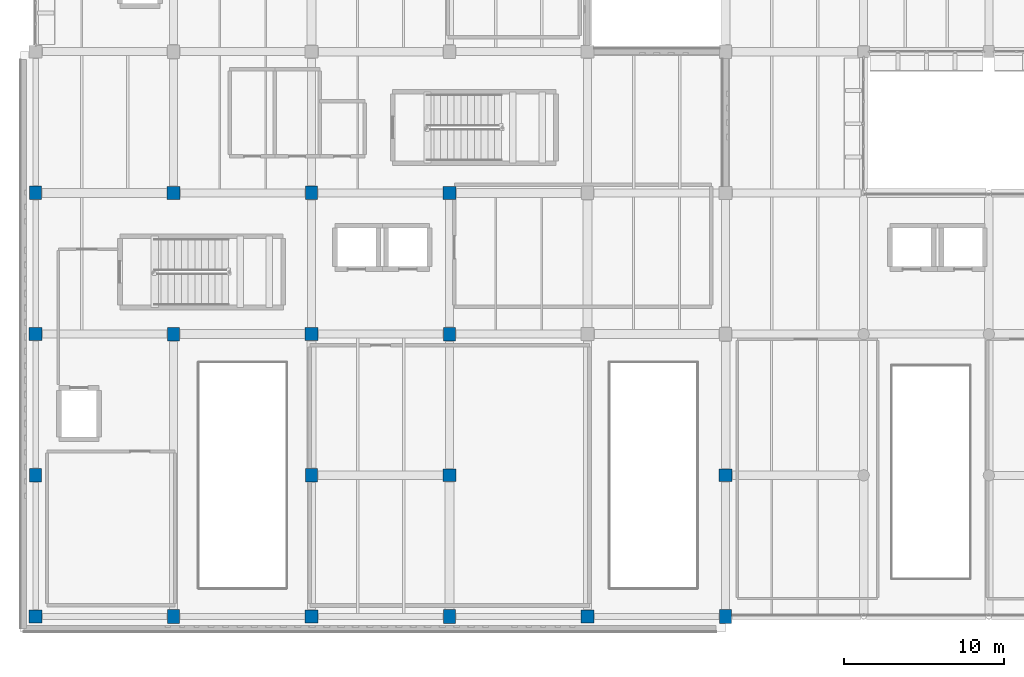
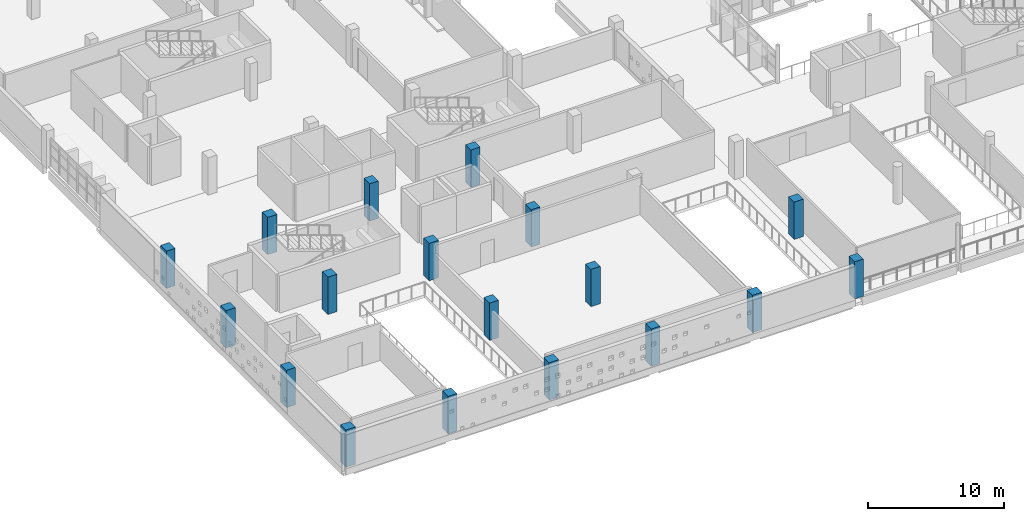
# One storey, part 1 of 75: 18 columns.
"""IFC4 building model written with IfcOpenShell, lengths in metres."""

import ifcopenshell
import ifcopenshell.guid

model = None  # the IFC model being written
_history = None  # IfcOwnerHistory: only IFC2X3 demands one
_inside = {}  # id of a spatial element -> (the spatial element, [elements in it])
_under = {}  # id of a project, library or spatial element -> (it, [spatial elements below it])
_declared = {}  # id of a project -> (the project, [libraries it declares])
_typed = {}  # id of a type object -> (the type object, [elements of that type])
_made_of = {}  # id of a material, layer set ... -> (it, [elements and type objects made of it])


def new_model(schema):
    """Start an empty IFC model of exactly this schema.

    Asked for "IFC4X3", IfcOpenShell would pick the latest addendum, in which some entities
    have other attributes; the version numbers below select the first issue.
    IFC2X3 requires an IfcOwnerHistory on every rooted entity: one is made here for all.
    """
    global model, _history
    if schema == "IFC4X3":
        model = ifcopenshell.file(schema_version=(4, 3, 0, 0))
    else:
        model = ifcopenshell.file(schema=schema)
    _inside.clear()
    _under.clear()
    _declared.clear()
    _typed.clear()
    _made_of.clear()
    _history = None
    if model.schema == "IFC2X3":
        org = make("IfcOrganization", Name="unknown")
        user = make(
            "IfcPersonAndOrganization",
            ThePerson=make("IfcPerson", FamilyName="unknown"),
            TheOrganization=org,
        )
        app = make(
            "IfcApplication",
            ApplicationDeveloper=org,
            Version="unknown",
            ApplicationFullName="unknown",
            ApplicationIdentifier="unknown",
        )
        _history = make(
            "IfcOwnerHistory",
            OwningUser=user,
            OwningApplication=app,
            ChangeAction="ADDED",
            CreationDate=0,
        )
    return model


def make(cls, **values):
    """One entity of the class cls with the attributes given. An attribute that is None is left unset."""
    return model.create_entity(
        cls, **{name: value for name, value in values.items() if value is not None}
    )


def rooted(cls, **values):
    """An entity with a GlobalId (a new one), such as an element, a storey or a relation."""
    return make(cls, GlobalId=ifcopenshell.guid.new(), OwnerHistory=_history, **values)


def si_unit(unit_type, name, prefix=None):
    """IfcSIUnit, for example si_unit("LENGTHUNIT", "METRE", prefix="MILLI")."""
    return make("IfcSIUnit", UnitType=unit_type, Prefix=prefix, Name=name)


def assignment(units):
    """IfcUnitAssignment: the units of a project."""
    return None if units is None else make("IfcUnitAssignment", Units=units)


def point(xyz):
    """IfcCartesianPoint."""
    return None if xyz is None else make("IfcCartesianPoint", Coordinates=xyz)


def direction(xyz):
    """IfcDirection."""
    return None if xyz is None else make("IfcDirection", DirectionRatios=xyz)


def frame(location, z_axis=None, x_axis=None):
    """IfcAxis2Placement3D, a coordinate frame: its origin and axes. An axis left out is left unset."""
    return make(
        "IfcAxis2Placement3D",
        Location=point(location),
        Axis=direction(z_axis),
        RefDirection=direction(x_axis),
    )


def frame_2d(location, x_axis=None):
    """IfcAxis2Placement2D, a coordinate frame in the plane: its origin and x axis."""
    return make(
        "IfcAxis2Placement2D", Location=point(location), RefDirection=direction(x_axis)
    )


def origin():
    """The frame at (0, 0, 0) with its axes left unset."""
    return frame((0.0, 0.0, 0.0))


def origin_2d():
    """The frame at (0, 0) in the plane with its x axis left unset."""
    return frame_2d((0.0, 0.0))


def place(relative_to, where):
    """IfcLocalPlacement: puts the frame where relative to a parent placement (None: the world)."""
    return make(
        "IfcLocalPlacement", PlacementRelTo=relative_to, RelativePlacement=where
    )


def context(
    kind, dimensions, precision=None, world=None, true_north=None, identifier=None
):
    """IfcGeometricRepresentationContext, for example the 3D "Model" context."""
    return make(
        "IfcGeometricRepresentationContext",
        ContextIdentifier=identifier,
        ContextType=kind,
        CoordinateSpaceDimension=dimensions,
        Precision=precision,
        WorldCoordinateSystem=world,
        TrueNorth=true_north,
    )


def subcontext(parent, identifier, kind, view, scale=None):
    """IfcGeometricRepresentationSubContext, for example "Body" below "Model"."""
    return make(
        "IfcGeometricRepresentationSubContext",
        ContextIdentifier=identifier,
        ContextType=kind,
        ParentContext=parent,
        TargetScale=scale,
        TargetView=view,
    )


def project(units=None, contexts=None):
    """IfcProject with its units and contexts."""
    return rooted(
        "IfcProject",
        Name="project",
        RepresentationContexts=contexts,
        UnitsInContext=assignment(units),
    )


def spatial(cls, under=None, at=None, **own):
    """A site, building, storey or space (cls), placed at a placement, below another one or the project."""
    s = rooted(cls, ObjectPlacement=at, **own)
    if under is not None:
        _under.setdefault(under.id(), (under, []))[1].append(s)
    return s


def profile(cls, at=None, kind="AREA", **sizes):
    """A parametric profile (cls). Its sizes go by their IFC names, for example OverallWidth=200.0."""
    return make(cls, ProfileType=kind, Position=at, **sizes)


def rectangle(**sizes):
    """IfcRectangleProfileDef."""
    return profile("IfcRectangleProfileDef", **sizes)


def extrude(swept, where, along, depth):
    """IfcExtrudedAreaSolid: the profile swept, set in the frame where, extruded along a direction by depth."""
    return make(
        "IfcExtrudedAreaSolid",
        SweptArea=swept,
        Position=where,
        ExtrudedDirection=direction(along),
        Depth=depth,
    )


def shape(context_of_items, identifier, shape_type, items):
    """IfcShapeRepresentation: the items that make up one representation, for example the "Body"."""
    return make(
        "IfcShapeRepresentation",
        ContextOfItems=context_of_items,
        RepresentationIdentifier=identifier,
        RepresentationType=shape_type,
        Items=items,
    )


def material(Name=None, Category=None):
    """IfcMaterial."""
    return make("IfcMaterial", Name=Name, Category=Category)


def material_profile(
    of_material, cross_section, Name=None, Category=None, Priority=None
):
    """IfcMaterialProfile: a cross section and its material."""
    return make(
        "IfcMaterialProfile",
        Name=Name,
        Material=of_material,
        Profile=cross_section,
        Priority=Priority,
        Category=Category,
    )


def profile_set(profiles, Name=None, composite=None):
    """IfcMaterialProfileSet."""
    return make(
        "IfcMaterialProfileSet",
        Name=Name,
        MaterialProfiles=profiles,
        CompositeProfile=composite,
    )


def made_of(thing, what):
    """Note that an element or type object is made of a material, layer set ...; save() writes the relation."""
    if what is not None:
        _made_of.setdefault(what.id(), (what, []))[1].append(thing)
    return thing


def type_object(cls, material=None, **own):
    """A type object (cls), such as IfcWallType, which elements share."""
    return made_of(rooted(cls, **own), material)


def element(
    cls,
    number,
    at=None,
    inside=None,
    cuts=None,
    type_object=None,
    material=None,
    context=None,
    identifier="Body",
    shape_type=None,
    held_by="IfcProductDefinitionShape",
    body=None,
    shapes=None,
    **own,
):
    """One element of the class cls, such as IfcWall. Its Tag is "e" and its number.

    at: its placement. inside: the storey or other place that contains it. cuts: it is an
    opening in that element (IfcRelVoidsElement). A single representation is given by context,
    identifier, shape_type and body (its items); several are given by shapes. held_by: the class
    of the entity that holds the representations. save() writes the other relations.
    """
    e = rooted(cls, Tag="e%d" % number, ObjectPlacement=at, **own)
    if body is not None:
        shapes = [shape(context, identifier, shape_type, body)]
    if shapes is not None:
        e.Representation = make(held_by, Representations=shapes)
    if inside is not None:
        _inside.setdefault(inside.id(), (inside, []))[1].append(e)
    if cuts is not None:
        rooted(
            "IfcRelVoidsElement", RelatingBuildingElement=cuts, RelatedOpeningElement=e
        )
    if type_object is not None:
        _typed.setdefault(type_object.id(), (type_object, []))[1].append(e)
    return made_of(e, material)


def aggregate(whole, parts):
    """IfcRelAggregates: a whole, such as a stair, and the parts it consists of."""
    return rooted("IfcRelAggregates", RelatingObject=whole, RelatedObjects=parts)


def save(model, path):
    """Write the relations noted so far, then the file.

    IfcRelAggregates (storeys below a building ...), IfcRelContainedInSpatialStructure (elements
    in a storey), IfcRelDefinesByType, IfcRelAssociatesMaterial and IfcRelDeclares: one each for
    every whole, place, type object, material and project.
    """
    for whole, parts in _under.values():
        aggregate(whole, parts)
    for where, things in _inside.values():
        rooted(
            "IfcRelContainedInSpatialStructure",
            RelatedElements=things,
            RelatingStructure=where,
        )
    for kind, things in _typed.values():
        rooted("IfcRelDefinesByType", RelatedObjects=things, RelatingType=kind)
    for what, things in _made_of.values():
        rooted("IfcRelAssociatesMaterial", RelatedObjects=things, RelatingMaterial=what)
    for by, libraries in _declared.values():
        rooted("IfcRelDeclares", RelatingContext=by, RelatedDefinitions=libraries)
    model.write(path)


model = new_model("IFC4")

# Units and contexts
model_context = context("Model", 3, precision=1e-05, world=origin(), true_north=direction((0.0, 1.0)))
body_context = subcontext(model_context, "Body", "Model", "MODEL_VIEW")
ifc_project = project(units=[si_unit("LENGTHUNIT", "METRE"), si_unit("AREAUNIT", "SQUARE_METRE"), si_unit("VOLUMEUNIT", "CUBIC_METRE"), si_unit("PLANEANGLEUNIT", "RADIAN"), si_unit("MASSUNIT", "GRAM", prefix="KILO")], contexts=[model_context])

# Site, building, storey
site_placement = place(None, origin())
site = spatial("IfcSite", under=ifc_project, at=site_placement, CompositionType="ELEMENT")
building_placement = place(site_placement, origin())
building = spatial("IfcBuilding", under=site, at=building_placement, Name="Varnakota Cinema and Media Centre", CompositionType="ELEMENT")
storey_placement = place(building_placement, frame((0.0, 0.0, 8.39990234375)))
storey = spatial("IfcBuildingStorey", under=building, at=storey_placement, Name="L02", CompositionType="ELEMENT", Elevation=8.39990234375)

# Columns
ifc_material_1 = material(Name="Concrete M40", Category="concrete")
ifc_material_profile_1 = material_profile(ifc_material_1, rectangle(XDim=0.75, YDim=0.85009765625, at=origin_2d()), Name="RC 750x850")
ifc_profile_set_1 = profile_set([ifc_material_profile_1], Name="Concrete M40")
column_type_1 = type_object("IfcColumnType", Name="COL-RC-750x850", PredefinedType="COLUMN", material=ifc_profile_set_1)
for number, where, z_axis, x_axis, name in (
    (1, (0.0, 8.800048828125, 0.0), (0.0, 0.0, 1.0), (1.0, 0.0, 0.0), "L02 column A/2"),
    (2, (0.0, 26.39990234375, 0.0), (0.0, 0.0, 1.0), (1.0, 0.0, 0.0), "L02 column A/4"),
    (3, (8.60009765625, 0.0, 0.0), (0.0, 0.0, 1.0), (1.0, 0.0, 0.0), "L02 column B/1"),
    (4, (8.60009765625, 17.60009765625, 0.0), (0.0, 0.0, 1.0), (1.0, 0.0, 0.0), "L02 column B/3"),
    (5, (17.199951171875, 8.800048828125, 0.0), (0.0, 0.0, 1.0), (1.0, 0.0, 0.0), "L02 column C/2"),
    (6, (17.199951171875, 26.39990234375, 0.0), (0.0, 0.0, 1.0), (1.0, 0.0, 0.0), "L02 column C/4"),
    (7, (25.800048828125, 0.0, 0.0), (0.0, 0.0, 1.0), (1.0, 0.0, 0.0), "L02 column D/1"),
    (8, (25.800048828125, 17.60009765625, 0.0), (0.0, 0.0, 1.0), (1.0, 0.0, 0.0), "L02 column D/3"),
    (9, (43.0, 0.0, 0.0), (0.0, 0.0, 1.0), (1.0, 0.0, 0.0), "L02 column F/1"),
):
    element("IfcColumn", number, at=place(storey_placement, frame(where, z_axis=z_axis, x_axis=x_axis)), inside=storey, type_object=column_type_1, Name=name, PredefinedType="COLUMN", context=body_context, shape_type="SweptSolid", body=[
        extrude(rectangle(XDim=0.75, YDim=0.85009765625, at=origin_2d()), origin(), (0.0, 0.0, 1.0), 3.340087890625),
    ])
ifc_material_2 = material(Name="Concrete M40", Category="concrete")
ifc_material_profile_2 = material_profile(ifc_material_2, rectangle(XDim=0.800048828125, YDim=0.800048828125, at=origin_2d()), Name="RC 800x800")
ifc_profile_set_2 = profile_set([ifc_material_profile_2], Name="Concrete M40")
column_type_2 = type_object("IfcColumnType", Name="COL-RC-800x800", PredefinedType="COLUMN", material=ifc_profile_set_2)
for number, where, z_axis, x_axis, name in (
    (10, (0.0, 0.0, 0.0), (0.0, 0.0, 1.0), (1.0, 0.0, 0.0), "L02 column A/1"),
    (11, (0.0, 17.60009765625, 0.0), (0.0, 0.0, 1.0), (1.0, 0.0, 0.0), "L02 column A/3"),
    (12, (8.60009765625, 26.39990234375, 0.0), (0.0, 0.0, 1.0), (1.0, 0.0, 0.0), "L02 column B/4"),
    (13, (17.199951171875, 0.0, 0.0), (0.0, 0.0, 1.0), (1.0, 0.0, 0.0), "L02 column C/1"),
    (14, (17.199951171875, 17.60009765625, 0.0), (0.0, 0.0, 1.0), (1.0, 0.0, 0.0), "L02 column C/3"),
    (15, (25.800048828125, 8.800048828125, 0.0), (0.0, 0.0, 1.0), (1.0, 0.0, 0.0), "L02 column D/2"),
    (16, (25.800048828125, 26.39990234375, 0.0), (0.0, 0.0, 1.0), (1.0, 0.0, 0.0), "L02 column D/4"),
    (17, (34.39990234375, 0.0, 0.0), (0.0, 0.0, 1.0), (1.0, 0.0, 0.0), "L02 column E/1"),
    (18, (43.0, 8.800048828125, 0.0), (0.0, 0.0, 1.0), (1.0, 0.0, 0.0), "L02 column F/2"),
):
    element("IfcColumn", number, at=place(storey_placement, frame(where, z_axis=z_axis, x_axis=x_axis)), inside=storey, type_object=column_type_2, Name=name, PredefinedType="COLUMN", context=body_context, shape_type="SweptSolid", body=[
        extrude(rectangle(XDim=0.800048828125, YDim=0.800048828125, at=origin_2d()), origin(), (0.0, 0.0, 1.0), 3.340087890625),
    ])

save(model, "model.ifc")
